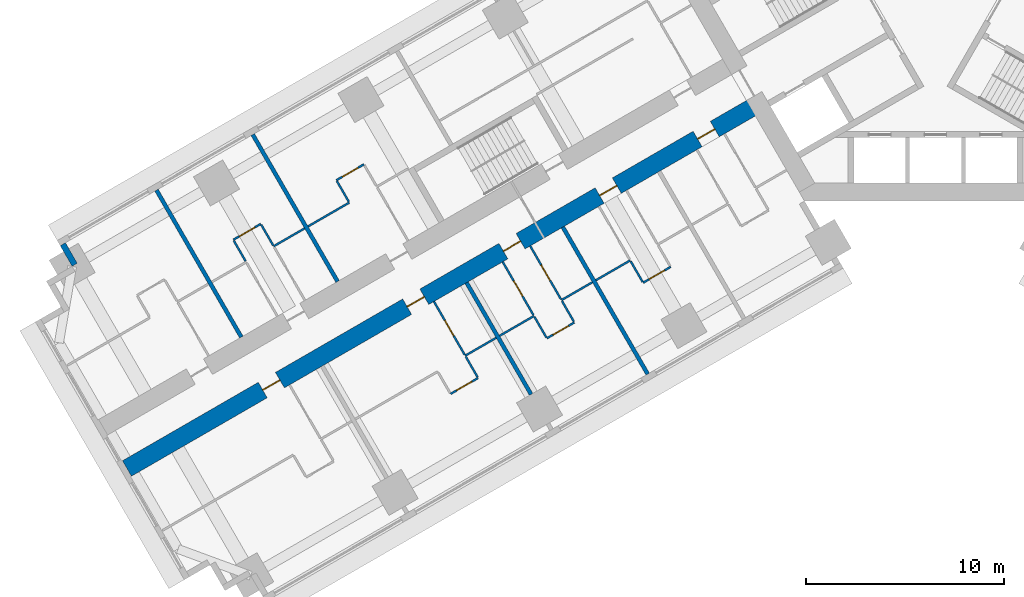
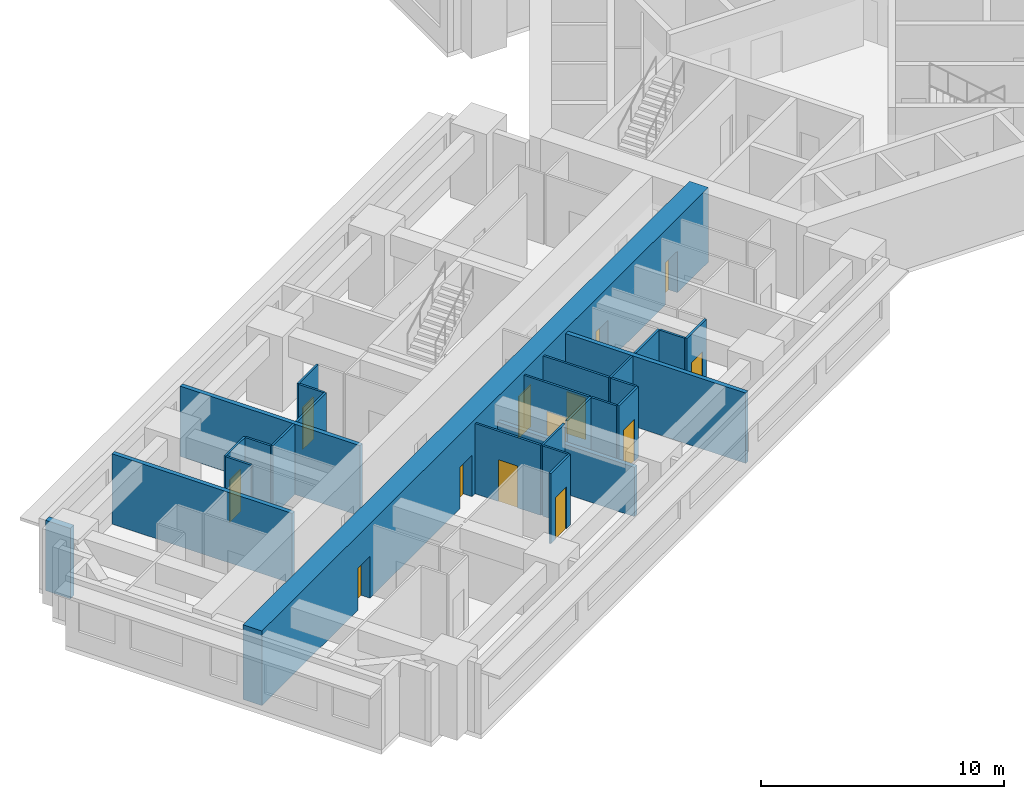
# One storey, part 4 of 17: 27 walls, 13 doors, 13 openings.
"""IFC4 building model written with IfcOpenShell, lengths in metres."""

import ifcopenshell
import ifcopenshell.guid

model = None  # the IFC model being written
_history = None  # IfcOwnerHistory: only IFC2X3 demands one
_inside = {}  # id of a spatial element -> (the spatial element, [elements in it])
_under = {}  # id of a project, library or spatial element -> (it, [spatial elements below it])
_declared = {}  # id of a project -> (the project, [libraries it declares])
_typed = {}  # id of a type object -> (the type object, [elements of that type])
_made_of = {}  # id of a material, layer set ... -> (it, [elements and type objects made of it])


def new_model(schema):
    """Start an empty IFC model of exactly this schema.

    Asked for "IFC4X3", IfcOpenShell would pick the latest addendum, in which some entities
    have other attributes; the version numbers below select the first issue.
    IFC2X3 requires an IfcOwnerHistory on every rooted entity: one is made here for all.
    """
    global model, _history
    if schema == "IFC4X3":
        model = ifcopenshell.file(schema_version=(4, 3, 0, 0))
    else:
        model = ifcopenshell.file(schema=schema)
    _inside.clear()
    _under.clear()
    _declared.clear()
    _typed.clear()
    _made_of.clear()
    _history = None
    if model.schema == "IFC2X3":
        org = make("IfcOrganization", Name="unknown")
        user = make(
            "IfcPersonAndOrganization",
            ThePerson=make("IfcPerson", FamilyName="unknown"),
            TheOrganization=org,
        )
        app = make(
            "IfcApplication",
            ApplicationDeveloper=org,
            Version="unknown",
            ApplicationFullName="unknown",
            ApplicationIdentifier="unknown",
        )
        _history = make(
            "IfcOwnerHistory",
            OwningUser=user,
            OwningApplication=app,
            ChangeAction="ADDED",
            CreationDate=0,
        )
    return model


def make(cls, **values):
    """One entity of the class cls with the attributes given. An attribute that is None is left unset."""
    return model.create_entity(
        cls, **{name: value for name, value in values.items() if value is not None}
    )


def rooted(cls, **values):
    """An entity with a GlobalId (a new one), such as an element, a storey or a relation."""
    return make(cls, GlobalId=ifcopenshell.guid.new(), OwnerHistory=_history, **values)


def si_unit(unit_type, name, prefix=None):
    """IfcSIUnit, for example si_unit("LENGTHUNIT", "METRE", prefix="MILLI")."""
    return make("IfcSIUnit", UnitType=unit_type, Prefix=prefix, Name=name)


def assignment(units):
    """IfcUnitAssignment: the units of a project."""
    return None if units is None else make("IfcUnitAssignment", Units=units)


def point(xyz):
    """IfcCartesianPoint."""
    return None if xyz is None else make("IfcCartesianPoint", Coordinates=xyz)


def direction(xyz):
    """IfcDirection."""
    return None if xyz is None else make("IfcDirection", DirectionRatios=xyz)


def frame(location, z_axis=None, x_axis=None):
    """IfcAxis2Placement3D, a coordinate frame: its origin and axes. An axis left out is left unset."""
    return make(
        "IfcAxis2Placement3D",
        Location=point(location),
        Axis=direction(z_axis),
        RefDirection=direction(x_axis),
    )


def frame_2d(location, x_axis=None):
    """IfcAxis2Placement2D, a coordinate frame in the plane: its origin and x axis."""
    return make(
        "IfcAxis2Placement2D", Location=point(location), RefDirection=direction(x_axis)
    )


def origin():
    """The frame at (0, 0, 0) with its axes left unset."""
    return frame((0.0, 0.0, 0.0))


def place(relative_to, where):
    """IfcLocalPlacement: puts the frame where relative to a parent placement (None: the world)."""
    return make(
        "IfcLocalPlacement", PlacementRelTo=relative_to, RelativePlacement=where
    )


def context(
    kind, dimensions, precision=None, world=None, true_north=None, identifier=None
):
    """IfcGeometricRepresentationContext, for example the 3D "Model" context."""
    return make(
        "IfcGeometricRepresentationContext",
        ContextIdentifier=identifier,
        ContextType=kind,
        CoordinateSpaceDimension=dimensions,
        Precision=precision,
        WorldCoordinateSystem=world,
        TrueNorth=true_north,
    )


def subcontext(parent, identifier, kind, view, scale=None):
    """IfcGeometricRepresentationSubContext, for example "Body" below "Model"."""
    return make(
        "IfcGeometricRepresentationSubContext",
        ContextIdentifier=identifier,
        ContextType=kind,
        ParentContext=parent,
        TargetScale=scale,
        TargetView=view,
    )


def project(units=None, contexts=None):
    """IfcProject with its units and contexts."""
    return rooted(
        "IfcProject",
        Name="project",
        RepresentationContexts=contexts,
        UnitsInContext=assignment(units),
    )


def spatial(cls, under=None, at=None, **own):
    """A site, building, storey or space (cls), placed at a placement, below another one or the project."""
    s = rooted(cls, ObjectPlacement=at, **own)
    if under is not None:
        _under.setdefault(under.id(), (under, []))[1].append(s)
    return s


def profile(cls, at=None, kind="AREA", **sizes):
    """A parametric profile (cls). Its sizes go by their IFC names, for example OverallWidth=200.0."""
    return make(cls, ProfileType=kind, Position=at, **sizes)


def rectangle(**sizes):
    """IfcRectangleProfileDef."""
    return profile("IfcRectangleProfileDef", **sizes)


def extrude(swept, where, along, depth):
    """IfcExtrudedAreaSolid: the profile swept, set in the frame where, extruded along a direction by depth."""
    return make(
        "IfcExtrudedAreaSolid",
        SweptArea=swept,
        Position=where,
        ExtrudedDirection=direction(along),
        Depth=depth,
    )


def shape(context_of_items, identifier, shape_type, items):
    """IfcShapeRepresentation: the items that make up one representation, for example the "Body"."""
    return make(
        "IfcShapeRepresentation",
        ContextOfItems=context_of_items,
        RepresentationIdentifier=identifier,
        RepresentationType=shape_type,
        Items=items,
    )


def material(Name=None, Category=None):
    """IfcMaterial."""
    return make("IfcMaterial", Name=Name, Category=Category)


def layer(
    of_material, thickness, ventilated=None, Name=None, Category=None, Priority=None
):
    """IfcMaterialLayer: one layer of a wall or slab, of a material (None: an air gap)."""
    return make(
        "IfcMaterialLayer",
        Material=of_material,
        LayerThickness=thickness,
        IsVentilated=ventilated,
        Name=Name,
        Category=Category,
        Priority=Priority,
    )


def layer_set(layers, Name=None):
    """IfcMaterialLayerSet."""
    return make("IfcMaterialLayerSet", MaterialLayers=layers, LayerSetName=Name)


def made_of(thing, what):
    """Note that an element or type object is made of a material, layer set ...; save() writes the relation."""
    if what is not None:
        _made_of.setdefault(what.id(), (what, []))[1].append(thing)
    return thing


def type_object(cls, material=None, **own):
    """A type object (cls), such as IfcWallType, which elements share."""
    return made_of(rooted(cls, **own), material)


def element(
    cls,
    number,
    at=None,
    inside=None,
    cuts=None,
    type_object=None,
    material=None,
    context=None,
    identifier="Body",
    shape_type=None,
    held_by="IfcProductDefinitionShape",
    body=None,
    shapes=None,
    **own,
):
    """One element of the class cls, such as IfcWall. Its Tag is "e" and its number.

    at: its placement. inside: the storey or other place that contains it. cuts: it is an
    opening in that element (IfcRelVoidsElement). A single representation is given by context,
    identifier, shape_type and body (its items); several are given by shapes. held_by: the class
    of the entity that holds the representations. save() writes the other relations.
    """
    e = rooted(cls, Tag="e%d" % number, ObjectPlacement=at, **own)
    if body is not None:
        shapes = [shape(context, identifier, shape_type, body)]
    if shapes is not None:
        e.Representation = make(held_by, Representations=shapes)
    if inside is not None:
        _inside.setdefault(inside.id(), (inside, []))[1].append(e)
    if cuts is not None:
        rooted(
            "IfcRelVoidsElement", RelatingBuildingElement=cuts, RelatedOpeningElement=e
        )
    if type_object is not None:
        _typed.setdefault(type_object.id(), (type_object, []))[1].append(e)
    return made_of(e, material)


def fill(opening, filler):
    """IfcRelFillsElement: the door or window that sits in an opening."""
    return rooted(
        "IfcRelFillsElement",
        RelatingOpeningElement=opening,
        RelatedBuildingElement=filler,
    )


def aggregate(whole, parts):
    """IfcRelAggregates: a whole, such as a stair, and the parts it consists of."""
    return rooted("IfcRelAggregates", RelatingObject=whole, RelatedObjects=parts)


def save(model, path):
    """Write the relations noted so far, then the file.

    IfcRelAggregates (storeys below a building ...), IfcRelContainedInSpatialStructure (elements
    in a storey), IfcRelDefinesByType, IfcRelAssociatesMaterial and IfcRelDeclares: one each for
    every whole, place, type object, material and project.
    """
    for whole, parts in _under.values():
        aggregate(whole, parts)
    for where, things in _inside.values():
        rooted(
            "IfcRelContainedInSpatialStructure",
            RelatedElements=things,
            RelatingStructure=where,
        )
    for kind, things in _typed.values():
        rooted("IfcRelDefinesByType", RelatedObjects=things, RelatingType=kind)
    for what, things in _made_of.values():
        rooted("IfcRelAssociatesMaterial", RelatedObjects=things, RelatingMaterial=what)
    for by, libraries in _declared.values():
        rooted("IfcRelDeclares", RelatingContext=by, RelatedDefinitions=libraries)
    model.write(path)


model = new_model("IFC4")

# Units and contexts
model_context = context("Model", 3, precision=1e-05, world=origin(), true_north=direction((0.0, 1.0)))
body_context = subcontext(model_context, "Body", "Model", "MODEL_VIEW")
ifc_project = project(units=[si_unit("LENGTHUNIT", "METRE"), si_unit("AREAUNIT", "SQUARE_METRE"), si_unit("VOLUMEUNIT", "CUBIC_METRE"), si_unit("PLANEANGLEUNIT", "RADIAN"), si_unit("MASSUNIT", "GRAM", prefix="KILO")], contexts=[model_context])

# Site, building, storey
site_placement = place(None, origin())
site = spatial("IfcSite", under=ifc_project, at=site_placement, CompositionType="ELEMENT")
building_placement = place(site_placement, origin())
building = spatial("IfcBuilding", under=site, at=building_placement, Name="Impinga Residences", CompositionType="ELEMENT")
storey_placement = place(building_placement, frame((0.0, 0.0, 33.5)))
storey = spatial("IfcBuildingStorey", under=building, at=storey_placement, Name="L07", CompositionType="ELEMENT", Elevation=33.5)

# Wall, openings, doors
ifc_material_1 = material(Name="Concrete C70/85", Category="concrete")
ifc_layer_1 = layer(ifc_material_1, 0.89990234375)
ifc_layer_set_1 = layer_set([ifc_layer_1], Name="Concrete C70/85")
wall_type_1 = type_object("IfcWallType", Name="BW1 corridor buttress wall, L05 to L22 900", PredefinedType="SHEAR", material=ifc_layer_set_1)
wall_1_placement = place(storey_placement, frame((-8.910400390625, -6.530029296875, 0.0), z_axis=(0.0, 0.0, 1.0), x_axis=(-0.866025284237, -0.500000207062, 0.0)))
wall_1 = element("IfcWall", 1, at=wall_1_placement, inside=storey, type_object=wall_type_1, Name="Corridor wall BW1 WC L07", PredefinedType="SHEAR", context=body_context, shape_type="SweptSolid", body=[
    extrude(rectangle(XDim=36.75, YDim=0.89990234375, at=frame_2d((18.375, 0.0))), origin(), (0.0, 0.0, 1.0), 3.75),
])
opening_1_placement = place(wall_1_placement, frame((2.550048828125, 0.0, 0.0)))
opening_1 = element("IfcOpeningElement", 2, at=opening_1_placement, cuts=wall_1, Name="Opening D1", PredefinedType="OPENING", context=body_context, shape_type="SweptSolid", body=[
    extrude(rectangle(XDim=1.0, YDim=2.10009765625, at=frame_2d((0.5, 1.050048828125))), frame((0.0, 0.4599609375, 0.0), z_axis=(0.0, -1.0, 0.0), x_axis=(1.0, 0.0, 0.0)), (0.0, 0.0, 1.0), 0.919921875),
])
opening_2_placement = place(wall_1_placement, frame((8.25, 0.0, 0.0)))
opening_2 = element("IfcOpeningElement", 3, at=opening_2_placement, cuts=wall_1, Name="Opening D1", PredefinedType="OPENING", context=body_context, shape_type="SweptSolid", body=[
    extrude(rectangle(XDim=1.0, YDim=2.10009765625, at=frame_2d((0.5, 1.050048828125))), frame((0.0, 0.4599609375, 0.0), z_axis=(0.0, -1.0, 0.0), x_axis=(1.0, 0.0, 0.0)), (0.0, 0.0, 1.0), 0.919921875),
])
opening_3_placement = place(wall_1_placement, frame((13.85009765625, 0.0, 0.0)))
opening_3 = element("IfcOpeningElement", 4, at=opening_3_placement, cuts=wall_1, Name="Opening D1", PredefinedType="OPENING", context=body_context, shape_type="SweptSolid", body=[
    extrude(rectangle(XDim=1.0, YDim=2.10009765625, at=frame_2d((0.5, 1.050048828125))), frame((0.0, 0.4599609375, 0.0), z_axis=(0.0, -1.0, 0.0), x_axis=(1.0, 0.0, 0.0)), (0.0, 0.0, 1.0), 0.919921875),
])
opening_4_placement = place(wall_1_placement, frame((19.449951171875, 0.0, 0.0)))
opening_4 = element("IfcOpeningElement", 5, at=opening_4_placement, cuts=wall_1, Name="Opening D1", PredefinedType="OPENING", context=body_context, shape_type="SweptSolid", body=[
    extrude(rectangle(XDim=1.0, YDim=2.10009765625, at=frame_2d((0.5, 1.050048828125))), frame((0.0, 0.4599609375, 0.0), z_axis=(0.0, -1.0, 0.0), x_axis=(1.0, 0.0, 0.0)), (0.0, 0.0, 1.0), 0.919921875),
])
opening_5_placement = place(wall_1_placement, frame((27.85009765625, 0.0, 0.0)))
opening_5 = element("IfcOpeningElement", 6, at=opening_5_placement, cuts=wall_1, Name="Opening D1", PredefinedType="OPENING", context=body_context, shape_type="SweptSolid", body=[
    extrude(rectangle(XDim=1.0, YDim=2.10009765625, at=frame_2d((0.5, 1.050048828125))), frame((0.0, 0.4599609375, 0.0), z_axis=(0.0, -1.0, 0.0), x_axis=(1.0, 0.0, 0.0)), (0.0, 0.0, 1.0), 0.919921875),
])
ifc_material_2 = material(Name="Timber door set", Category="wood")
door_type_1 = type_object("IfcDoorType", Name="D1 apartment entrance door 1000x2100", OperationType="SINGLE_SWING_LEFT", PredefinedType="DOOR", material=ifc_material_2)
door_1_placement = place(opening_1_placement, origin())
door_1 = element("IfcDoor", 7, at=door_1_placement, inside=storey, type_object=door_type_1, Name="Apartment L07-WA1 entrance", OperationType="SINGLE_SWING_LEFT", OverallHeight=2.10009765625, OverallWidth=1.0, PredefinedType="DOOR", context=body_context, shape_type="SweptSolid", body=[
    extrude(rectangle(XDim=1.0, YDim=2.10009765625, at=frame_2d((0.5, 1.050048828125))), frame((0.0, 0.02490234375, 0.0), z_axis=(0.0, -1.0, 0.0), x_axis=(1.0, 0.0, 0.0)), (0.0, 0.0, 1.0), 0.050048828125),
])
fill(opening_1, door_1)
door_2_placement = place(opening_2_placement, origin())
door_2 = element("IfcDoor", 8, at=door_2_placement, inside=storey, type_object=door_type_1, Name="Apartment L07-WA2 entrance", OperationType="SINGLE_SWING_LEFT", OverallHeight=2.10009765625, OverallWidth=1.0, PredefinedType="DOOR", context=body_context, shape_type="SweptSolid", body=[
    extrude(rectangle(XDim=1.0, YDim=2.10009765625, at=frame_2d((0.5, 1.050048828125))), frame((0.0, 0.02490234375, 0.0), z_axis=(0.0, -1.0, 0.0), x_axis=(1.0, 0.0, 0.0)), (0.0, 0.0, 1.0), 0.050048828125),
])
fill(opening_2, door_2)
door_3_placement = place(opening_3_placement, origin())
door_3 = element("IfcDoor", 9, at=door_3_placement, inside=storey, type_object=door_type_1, Name="Apartment L07-WA3 entrance", OperationType="SINGLE_SWING_LEFT", OverallHeight=2.10009765625, OverallWidth=1.0, PredefinedType="DOOR", context=body_context, shape_type="SweptSolid", body=[
    extrude(rectangle(XDim=1.0, YDim=2.10009765625, at=frame_2d((0.5, 1.050048828125))), frame((0.0, 0.02490234375, 0.0), z_axis=(0.0, -1.0, 0.0), x_axis=(1.0, 0.0, 0.0)), (0.0, 0.0, 1.0), 0.050048828125),
])
fill(opening_3, door_3)
door_4_placement = place(opening_4_placement, origin())
door_4 = element("IfcDoor", 10, at=door_4_placement, inside=storey, type_object=door_type_1, Name="Apartment L07-WA4 entrance", OperationType="SINGLE_SWING_RIGHT", OverallHeight=2.10009765625, OverallWidth=1.0, PredefinedType="DOOR", context=body_context, shape_type="SweptSolid", body=[
    extrude(rectangle(XDim=1.0, YDim=2.10009765625, at=frame_2d((0.5, 1.050048828125))), frame((0.0, 0.02490234375, 0.0), z_axis=(0.0, -1.0, 0.0), x_axis=(1.0, 0.0, 0.0)), (0.0, 0.0, 1.0), 0.050048828125),
])
fill(opening_4, door_4)
door_5_placement = place(opening_5_placement, origin())
door_5 = element("IfcDoor", 11, at=door_5_placement, inside=storey, type_object=door_type_1, Name="Apartment L07-WA5 entrance", OperationType="SINGLE_SWING_RIGHT", OverallHeight=2.10009765625, OverallWidth=1.0, PredefinedType="DOOR", context=body_context, shape_type="SweptSolid", body=[
    extrude(rectangle(XDim=1.0, YDim=2.10009765625, at=frame_2d((0.5, 1.050048828125))), frame((0.0, 0.02490234375, 0.0), z_axis=(0.0, -1.0, 0.0), x_axis=(1.0, 0.0, 0.0)), (0.0, 0.0, 1.0), 0.050048828125),
])
fill(opening_5, door_5)

# Walls
ifc_material_3 = material(Name="Terracotta rainscreen on blockwork", Category="masonry")
ifc_layer_2 = layer(ifc_material_3, 0.300048828125)
ifc_layer_set_2 = layer_set([ifc_layer_2], Name="EW1 external wall, terracotta rainscreen on blockwork 300")
wall_type_2 = type_object("IfcWallType", Name="EW1 external wall, terracotta rainscreen on blockwork 300", PredefinedType="SOLIDWALL", material=ifc_layer_set_2)
wall_2_placement = place(storey_placement, frame((-43.37109375, -14.64208984375, 0.0), z_axis=(0.0, 0.0, 1.0), x_axis=(-0.500029051137, 0.866008630453, 0.0)))
element("IfcWall", 12, at=wall_2_placement, inside=storey, type_object=wall_type_2, Name="External wall EW1 L07", PredefinedType="SOLIDWALL", context=body_context, shape_type="SweptSolid", body=[
    extrude(rectangle(XDim=1.19482421875, YDim=0.300048828125, at=frame_2d((0.597412109375, 0.0))), origin(), (0.0, 0.0, 1.0), 3.530029296875),
])
ifc_material_4 = material(Name="Gypsum board on steel studs", Category="steel")
ifc_layer_3 = layer(ifc_material_4, 0.10009765625)
ifc_layer_set_3 = layer_set([ifc_layer_3], Name="Gypsum board on steel studs")
wall_type_3 = type_object("IfcWallType", Name="IP1 partition 100", PredefinedType="PARTITIONING", material=ifc_layer_set_3)
wall_3_placement = place(storey_placement, frame((-15.380859375, -14.422607421875, 0.0), z_axis=(0.0, 0.0, 1.0), x_axis=(-0.866010750942, -0.50002537861, 0.0)))
element("IfcWall", 13, at=wall_3_placement, inside=storey, type_object=wall_type_3, Name="Partition L07-WA2:DIV1", PredefinedType="PARTITIONING", context=body_context, shape_type="SweptSolid", body=[
    extrude(rectangle(XDim=2.0, YDim=0.10009765625, at=frame_2d((1.0, 0.0))), origin(), (0.0, 0.0, 1.0), 3.530029296875),
])

# Wall, opening, door
wall_4_placement = place(storey_placement, frame((-13.34521484375, -14.74853515625, 0.0), z_axis=(0.0, 0.0, 1.0), x_axis=(-0.865989903783, -0.500061482766, 0.0)))
wall_4 = element("IfcWall", 14, at=wall_4_placement, inside=storey, type_object=wall_type_3, Name="Partition L07-WA2:STRIP", PredefinedType="PARTITIONING", context=body_context, shape_type="SweptSolid", body=[
    extrude(rectangle(XDim=1.599853515625, YDim=0.10009765625, at=frame_2d((0.7998046875, 0.0))), origin(), (0.0, 0.0, 1.0), 3.530029296875),
])
opening_6_placement = place(wall_4_placement, frame((0.35009765625, 0.0, 0.0)))
opening_6 = element("IfcOpeningElement", 15, at=opening_6_placement, cuts=wall_4, Name="Opening D2", PredefinedType="OPENING", context=body_context, shape_type="SweptSolid", body=[
    extrude(rectangle(XDim=0.89990234375, YDim=2.10009765625, at=frame_2d((0.449951171875, 1.050048828125))), frame((0.0, 0.06005859375, 0.0), z_axis=(0.0, -1.0, 0.0), x_axis=(1.0, 0.0, 0.0)), (0.0, 0.0, 1.0), 0.1201171875),
])
door_type_2 = type_object("IfcDoorType", Name="D2 internal door 900x2100", OperationType="SINGLE_SWING_LEFT", PredefinedType="DOOR", material=ifc_material_2)
door_6_placement = place(opening_6_placement, origin())
door_6 = element("IfcDoor", 16, at=door_6_placement, inside=storey, type_object=door_type_2, Name="Apartment L07-WA2 room door", OperationType="SINGLE_SWING_LEFT", OverallHeight=2.10009765625, OverallWidth=0.89990234375, PredefinedType="DOOR", context=body_context, shape_type="SweptSolid", body=[
    extrude(rectangle(XDim=0.89990234375, YDim=2.10009765625, at=frame_2d((0.449951171875, 1.050048828125))), frame((0.0, 0.02490234375, 0.0), z_axis=(0.0, -1.0, 0.0), x_axis=(1.0, 0.0, 0.0)), (0.0, 0.0, 1.0), 0.050048828125),
])
fill(opening_6, door_6)

# Walls
wall_5_placement = place(storey_placement, frame((-15.355712890625, -14.466064453125, 0.0), z_axis=(0.0, 0.0, 1.0), x_axis=(0.499969057507, -0.866043267704, 0.0)))
element("IfcWall", 17, at=wall_5_placement, inside=storey, type_object=wall_type_3, Name="Partition L07-WA2:SE1", PredefinedType="PARTITIONING", context=body_context, shape_type="SweptSolid", body=[
    extrude(rectangle(XDim=1.19970703125, YDim=0.10009765625, at=frame_2d((0.599853515625, 0.0))), origin(), (0.0, 0.0, 1.0), 3.530029296875),
])
wall_6_placement = place(storey_placement, frame((-17.2861328125, -15.522705078125, 0.0), z_axis=(0.0, 0.0, 1.0), x_axis=(-0.866047807691, -0.499961193289, 0.0)))
element("IfcWall", 18, at=wall_6_placement, inside=storey, type_object=wall_type_3, Name="Partition L07-WA3:DIV0", PredefinedType="PARTITIONING", context=body_context, shape_type="SweptSolid", body=[
    extrude(rectangle(XDim=1.800048828125, YDim=0.10009765625, at=frame_2d((0.89990234375, 0.0))), origin(), (0.0, 0.0, 1.0), 3.530029296875),
])
wall_7_placement = place(storey_placement, frame((-20.23046875, -17.22265625, 0.0), z_axis=(0.0, 0.0, 1.0), x_axis=(-0.866041268327, -0.499972520799, 0.0)))
element("IfcWall", 19, at=wall_7_placement, inside=storey, type_object=wall_type_3, Name="Partition L07-WA3:DIV1", PredefinedType="PARTITIONING", context=body_context, shape_type="SweptSolid", body=[
    extrude(rectangle(XDim=2.0, YDim=0.10009765625, at=frame_2d((1.0, 0.0))), origin(), (0.0, 0.0, 1.0), 3.530029296875),
])

# Wall, opening, door
wall_8_placement = place(storey_placement, frame((-18.19482421875, -17.548583984375, 0.0), z_axis=(0.0, 0.0, 1.0), x_axis=(-0.866028054938, -0.499995408039, 0.0)))
wall_8 = element("IfcWall", 20, at=wall_8_placement, inside=storey, type_object=wall_type_3, Name="Partition L07-WA3:STRIP", PredefinedType="PARTITIONING", context=body_context, shape_type="SweptSolid", body=[
    extrude(rectangle(XDim=1.60009765625, YDim=0.10009765625, at=frame_2d((0.800048828125, 0.0))), origin(), (0.0, 0.0, 1.0), 3.530029296875),
])
opening_7_placement = place(wall_8_placement, frame((0.35009765625, 0.0, 0.0)))
opening_7 = element("IfcOpeningElement", 21, at=opening_7_placement, cuts=wall_8, Name="Opening D2", PredefinedType="OPENING", context=body_context, shape_type="SweptSolid", body=[
    extrude(rectangle(XDim=0.89990234375, YDim=2.10009765625, at=frame_2d((0.449951171875, 1.050048828125))), frame((0.0, 0.06005859375, 0.0), z_axis=(0.0, -1.0, 0.0), x_axis=(1.0, 0.0, 0.0)), (0.0, 0.0, 1.0), 0.1201171875),
])
door_7_placement = place(opening_7_placement, origin())
door_7 = element("IfcDoor", 22, at=door_7_placement, inside=storey, type_object=door_type_2, Name="Apartment L07-WA3 room door", OperationType="SINGLE_SWING_LEFT", OverallHeight=2.10009765625, OverallWidth=0.89990234375, PredefinedType="DOOR", context=body_context, shape_type="SweptSolid", body=[
    extrude(rectangle(XDim=0.89990234375, YDim=2.10009765625, at=frame_2d((0.449951171875, 1.050048828125))), frame((0.0, 0.02490234375, 0.0), z_axis=(0.0, -1.0, 0.0), x_axis=(1.0, 0.0, 0.0)), (0.0, 0.0, 1.0), 0.050048828125),
])
fill(opening_7, door_7)

# Walls
wall_9_placement = place(storey_placement, frame((-18.81982421875, -16.466064453125, 0.0), z_axis=(0.0, 0.0, 1.0), x_axis=(0.499969057507, -0.866043267704, 0.0)))
element("IfcWall", 23, at=wall_9_placement, inside=storey, type_object=wall_type_3, Name="Partition L07-WA3:SE0", PredefinedType="PARTITIONING", context=body_context, shape_type="SweptSolid", body=[
    extrude(rectangle(XDim=1.19970703125, YDim=0.10009765625, at=frame_2d((0.599853515625, 0.0))), origin(), (0.0, 0.0, 1.0), 3.530029296875),
])
wall_10_placement = place(storey_placement, frame((-20.20556640625, -17.265869140625, 0.0), z_axis=(0.0, 0.0, 1.0), x_axis=(0.500033551112, -0.866006032174, 0.0)))
element("IfcWall", 24, at=wall_10_placement, inside=storey, type_object=wall_type_3, Name="Partition L07-WA3:SE1", PredefinedType="PARTITIONING", context=body_context, shape_type="SweptSolid", body=[
    extrude(rectangle(XDim=1.2001953125, YDim=0.10009765625, at=frame_2d((0.60009765625, 0.0))), origin(), (0.0, 0.0, 1.0), 3.530029296875),
])

# Wall, opening, door
wall_11_placement = place(storey_placement, frame((-20.419921875, -13.69482421875, 0.0), z_axis=(0.0, 0.0, 1.0), x_axis=(0.500026960575, -0.86600983753, 0.0)))
wall_11 = element("IfcWall", 25, at=wall_11_placement, inside=storey, type_object=wall_type_3, Name="Partition L07-WA3:IB1", PredefinedType="PARTITIONING", context=body_context, shape_type="SweptSolid", body=[
    extrude(rectangle(XDim=3.099853515625, YDim=0.10009765625, at=frame_2d((1.5498046875, 0.0))), origin(), (0.0, 0.0, 1.0), 3.530029296875),
])
opening_8_placement = place(wall_11_placement, frame((1.10009765625, 0.0, 0.0)))
opening_8 = element("IfcOpeningElement", 26, at=opening_8_placement, cuts=wall_11, Name="Opening D2", PredefinedType="OPENING", context=body_context, shape_type="SweptSolid", body=[
    extrude(rectangle(XDim=0.89990234375, YDim=2.10009765625, at=frame_2d((0.449951171875, 1.050048828125))), frame((0.0, 0.06005859375, 0.0), z_axis=(0.0, -1.0, 0.0), x_axis=(1.0, 0.0, 0.0)), (0.0, 0.0, 1.0), 0.1201171875),
])
door_8_placement = place(opening_8_placement, origin())
door_8 = element("IfcDoor", 27, at=door_8_placement, inside=storey, type_object=door_type_2, Name="Apartment L07-WA3 bathroom door", OperationType="SINGLE_SWING_LEFT", OverallHeight=2.10009765625, OverallWidth=0.89990234375, PredefinedType="DOOR", context=body_context, shape_type="SweptSolid", body=[
    extrude(rectangle(XDim=0.89990234375, YDim=2.10009765625, at=frame_2d((0.449951171875, 1.050048828125))), frame((0.0, 0.02490234375, 0.0), z_axis=(0.0, -1.0, 0.0), x_axis=(1.0, 0.0, 0.0)), (0.0, 0.0, 1.0), 0.050048828125),
])
fill(opening_8, door_8)

wall_12_placement = place(storey_placement, frame((-21.8056640625, -14.49462890625, 0.0), z_axis=(0.0, 0.0, 1.0), x_axis=(0.49999285859, -0.86602952684, 0.0)))
wall_12 = element("IfcWall", 28, at=wall_12_placement, inside=storey, type_object=wall_type_3, Name="Partition L07-WA3:IB2", PredefinedType="PARTITIONING", context=body_context, shape_type="SweptSolid", body=[
    extrude(rectangle(XDim=3.10009765625, YDim=0.10009765625, at=frame_2d((1.550048828125, 0.0))), origin(), (0.0, 0.0, 1.0), 3.530029296875),
])
opening_9_placement = place(wall_12_placement, frame((1.10009765625, 0.0, 0.0)))
opening_9 = element("IfcOpeningElement", 29, at=opening_9_placement, cuts=wall_12, Name="Opening D2", PredefinedType="OPENING", context=body_context, shape_type="SweptSolid", body=[
    extrude(rectangle(XDim=0.89990234375, YDim=2.10009765625, at=frame_2d((0.449951171875, 1.050048828125))), frame((0.0, 0.06005859375, 0.0), z_axis=(0.0, -1.0, 0.0), x_axis=(1.0, 0.0, 0.0)), (0.0, 0.0, 1.0), 0.1201171875),
])
door_9_placement = place(opening_9_placement, origin())
door_9 = element("IfcDoor", 30, at=door_9_placement, inside=storey, type_object=door_type_2, Name="Apartment L07-WA3 WC door", OperationType="SINGLE_SWING_LEFT", OverallHeight=2.10009765625, OverallWidth=0.89990234375, PredefinedType="DOOR", context=body_context, shape_type="SweptSolid", body=[
    extrude(rectangle(XDim=0.89990234375, YDim=2.10009765625, at=frame_2d((0.449951171875, 1.050048828125))), frame((0.0, 0.02490234375, 0.0), z_axis=(0.0, -1.0, 0.0), x_axis=(1.0, 0.0, 0.0)), (0.0, 0.0, 1.0), 0.050048828125),
])
fill(opening_9, door_9)

# Wall
wall_13_placement = place(storey_placement, frame((-22.1357421875, -18.32275390625, 0.0), z_axis=(0.0, 0.0, 1.0), x_axis=(-0.866047807691, -0.499961193289, 0.0)))
element("IfcWall", 31, at=wall_13_placement, inside=storey, type_object=wall_type_3, Name="Partition L07-WA4:DIV0", PredefinedType="PARTITIONING", context=body_context, shape_type="SweptSolid", body=[
    extrude(rectangle(XDim=1.800048828125, YDim=0.10009765625, at=frame_2d((0.89990234375, 0.0))), origin(), (0.0, 0.0, 1.0), 3.530029296875),
])

# Wall, opening, door
wall_14_placement = place(storey_placement, frame((-23.044677734375, -20.3486328125, 0.0), z_axis=(0.0, 0.0, 1.0), x_axis=(-0.866094119867, -0.499880961361, 0.0)))
wall_14 = element("IfcWall", 32, at=wall_14_placement, inside=storey, type_object=wall_type_3, Name="Partition L07-WA4:STRIP", PredefinedType="PARTITIONING", context=body_context, shape_type="SweptSolid", body=[
    extrude(rectangle(XDim=1.60009765625, YDim=0.10009765625, at=frame_2d((0.800048828125, 0.0))), origin(), (0.0, 0.0, 1.0), 3.530029296875),
])
opening_10_placement = place(wall_14_placement, frame((0.35009765625, 0.0, 0.0)))
opening_10 = element("IfcOpeningElement", 33, at=opening_10_placement, cuts=wall_14, Name="Opening D2", PredefinedType="OPENING", context=body_context, shape_type="SweptSolid", body=[
    extrude(rectangle(XDim=0.89990234375, YDim=2.10009765625, at=frame_2d((0.449951171875, 1.050048828125))), frame((0.0, 0.06005859375, 0.0), z_axis=(0.0, -1.0, 0.0), x_axis=(1.0, 0.0, 0.0)), (0.0, 0.0, 1.0), 0.1201171875),
])
door_10_placement = place(opening_10_placement, origin())
door_10 = element("IfcDoor", 34, at=door_10_placement, inside=storey, type_object=door_type_2, Name="Apartment L07-WA4 room door", OperationType="SINGLE_SWING_LEFT", OverallHeight=2.10009765625, OverallWidth=0.89990234375, PredefinedType="DOOR", context=body_context, shape_type="SweptSolid", body=[
    extrude(rectangle(XDim=0.89990234375, YDim=2.10009765625, at=frame_2d((0.449951171875, 1.050048828125))), frame((0.0, 0.02490234375, 0.0), z_axis=(0.0, -1.0, 0.0), x_axis=(1.0, 0.0, 0.0)), (0.0, 0.0, 1.0), 0.050048828125),
])
fill(opening_10, door_10)

# Wall
wall_15_placement = place(storey_placement, frame((-23.669677734375, -19.265869140625, 0.0), z_axis=(0.0, 0.0, 1.0), x_axis=(0.500033551112, -0.866006032174, 0.0)))
element("IfcWall", 35, at=wall_15_placement, inside=storey, type_object=wall_type_3, Name="Partition L07-WA4:SE0", PredefinedType="PARTITIONING", context=body_context, shape_type="SweptSolid", body=[
    extrude(rectangle(XDim=1.2001953125, YDim=0.10009765625, at=frame_2d((0.60009765625, 0.0))), origin(), (0.0, 0.0, 1.0), 3.530029296875),
])

# Wall, opening, door
wall_16_placement = place(storey_placement, frame((-25.269775390625, -16.49462890625, 0.0), z_axis=(0.0, 0.0, 1.0), x_axis=(0.49999285859, -0.86602952684, 0.0)))
wall_16 = element("IfcWall", 36, at=wall_16_placement, inside=storey, type_object=wall_type_3, Name="Partition L07-WA4:IB1", PredefinedType="PARTITIONING", context=body_context, shape_type="SweptSolid", body=[
    extrude(rectangle(XDim=3.10009765625, YDim=0.10009765625, at=frame_2d((1.550048828125, 0.0))), origin(), (0.0, 0.0, 1.0), 3.530029296875),
])
opening_11_placement = place(wall_16_placement, frame((1.10009765625, 0.0, 0.0)))
opening_11 = element("IfcOpeningElement", 37, at=opening_11_placement, cuts=wall_16, Name="Opening D2", PredefinedType="OPENING", context=body_context, shape_type="SweptSolid", body=[
    extrude(rectangle(XDim=0.89990234375, YDim=2.10009765625, at=frame_2d((0.449951171875, 1.050048828125))), frame((0.0, 0.06005859375, 0.0), z_axis=(0.0, -1.0, 0.0), x_axis=(1.0, 0.0, 0.0)), (0.0, 0.0, 1.0), 0.1201171875),
])
door_11_placement = place(opening_11_placement, origin())
door_11 = element("IfcDoor", 38, at=door_11_placement, inside=storey, type_object=door_type_2, Name="Apartment L07-WA4 bathroom door", OperationType="SINGLE_SWING_LEFT", OverallHeight=2.10009765625, OverallWidth=0.89990234375, PredefinedType="DOOR", context=body_context, shape_type="SweptSolid", body=[
    extrude(rectangle(XDim=0.89990234375, YDim=2.10009765625, at=frame_2d((0.449951171875, 1.050048828125))), frame((0.0, 0.02490234375, 0.0), z_axis=(0.0, -1.0, 0.0), x_axis=(1.0, 0.0, 0.0)), (0.0, 0.0, 1.0), 0.050048828125),
])
fill(opening_11, door_11)

# Wall
wall_17_placement = place(storey_placement, frame((-29.533935546875, -11.5087890625, 0.0), z_axis=(0.0, 0.0, 1.0), x_axis=(-0.866024647952, -0.500001309137, 0.0)))
element("IfcWall", 39, at=wall_17_placement, inside=storey, type_object=wall_type_3, Name="Partition L07-WF2:DIV1", PredefinedType="PARTITIONING", context=body_context, shape_type="SweptSolid", body=[
    extrude(rectangle(XDim=2.39990234375, YDim=0.10009765625, at=frame_2d((1.199951171875, 0.0))), origin(), (0.0, 0.0, 1.0), 3.530029296875),
])

# Wall, opening, door
wall_18_placement = place(storey_placement, frame((-28.79833984375, -9.5830078125, 0.0), z_axis=(0.0, 0.0, 1.0), x_axis=(-0.865989903783, -0.500061482766, 0.0)))
wall_18 = element("IfcWall", 40, at=wall_18_placement, inside=storey, type_object=wall_type_3, Name="Partition L07-WF2:STRIP", PredefinedType="PARTITIONING", context=body_context, shape_type="SweptSolid", body=[
    extrude(rectangle(XDim=1.599853515625, YDim=0.10009765625, at=frame_2d((0.7998046875, 0.0))), origin(), (0.0, 0.0, 1.0), 3.530029296875),
])
opening_12_placement = place(wall_18_placement, frame((0.35009765625, 0.0, 0.0)))
opening_12 = element("IfcOpeningElement", 41, at=opening_12_placement, cuts=wall_18, Name="Opening D2", PredefinedType="OPENING", context=body_context, shape_type="SweptSolid", body=[
    extrude(rectangle(XDim=0.89990234375, YDim=2.10009765625, at=frame_2d((0.449951171875, 1.050048828125))), frame((0.0, 0.06005859375, 0.0), z_axis=(0.0, -1.0, 0.0), x_axis=(1.0, 0.0, 0.0)), (0.0, 0.0, 1.0), 0.1201171875),
])
door_12_placement = place(opening_12_placement, origin())
door_12 = element("IfcDoor", 42, at=door_12_placement, inside=storey, type_object=door_type_2, Name="Apartment L07-WF2 room door", OperationType="SINGLE_SWING_LEFT", OverallHeight=2.10009765625, OverallWidth=0.89990234375, PredefinedType="DOOR", context=body_context, shape_type="SweptSolid", body=[
    extrude(rectangle(XDim=0.89990234375, YDim=2.10009765625, at=frame_2d((0.449951171875, 1.050048828125))), frame((0.0, 0.02490234375, 0.0), z_axis=(0.0, -1.0, 0.0), x_axis=(1.0, 0.0, 0.0)), (0.0, 0.0, 1.0), 0.050048828125),
])
fill(opening_12, door_12)

# Walls
wall_19_placement = place(storey_placement, frame((-29.558837890625, -11.465576171875, 0.0), z_axis=(0.0, 0.0, 1.0), x_axis=(-0.500033551112, 0.866006032174, 0.0)))
element("IfcWall", 43, at=wall_19_placement, inside=storey, type_object=wall_type_3, Name="Partition L07-WF2:SE1", PredefinedType="PARTITIONING", context=body_context, shape_type="SweptSolid", body=[
    extrude(rectangle(XDim=1.2001953125, YDim=0.10009765625, at=frame_2d((0.60009765625, 0.0))), origin(), (0.0, 0.0, 1.0), 3.530029296875),
])
wall_20_placement = place(storey_placement, frame((-31.78564453125, -12.808837890625, 0.0), z_axis=(0.0, 0.0, 1.0), x_axis=(-0.866047807691, -0.499961193289, 0.0)))
element("IfcWall", 44, at=wall_20_placement, inside=storey, type_object=wall_type_3, Name="Partition L07-WF3:DIV0", PredefinedType="PARTITIONING", context=body_context, shape_type="SweptSolid", body=[
    extrude(rectangle(XDim=1.800048828125, YDim=0.10009765625, at=frame_2d((0.89990234375, 0.0))), origin(), (0.0, 0.0, 1.0), 3.530029296875),
])

# Wall, opening, door
wall_21_placement = place(storey_placement, frame((-33.994384765625, -12.5830078125, 0.0), z_axis=(0.0, 0.0, 1.0), x_axis=(-0.866028054938, -0.499995408039, 0.0)))
wall_21 = element("IfcWall", 45, at=wall_21_placement, inside=storey, type_object=wall_type_3, Name="Partition L07-WF3:STRIP", PredefinedType="PARTITIONING", context=body_context, shape_type="SweptSolid", body=[
    extrude(rectangle(XDim=1.60009765625, YDim=0.10009765625, at=frame_2d((0.800048828125, 0.0))), origin(), (0.0, 0.0, 1.0), 3.530029296875),
])
opening_13_placement = place(wall_21_placement, frame((0.35009765625, 0.0, 0.0)))
opening_13 = element("IfcOpeningElement", 46, at=opening_13_placement, cuts=wall_21, Name="Opening D2", PredefinedType="OPENING", context=body_context, shape_type="SweptSolid", body=[
    extrude(rectangle(XDim=0.89990234375, YDim=2.10009765625, at=frame_2d((0.449951171875, 1.050048828125))), frame((0.0, 0.06005859375, 0.0), z_axis=(0.0, -1.0, 0.0), x_axis=(1.0, 0.0, 0.0)), (0.0, 0.0, 1.0), 0.1201171875),
])
door_13_placement = place(opening_13_placement, origin())
door_13 = element("IfcDoor", 47, at=door_13_placement, inside=storey, type_object=door_type_2, Name="Apartment L07-WF3 room door", OperationType="SINGLE_SWING_LEFT", OverallHeight=2.10009765625, OverallWidth=0.89990234375, PredefinedType="DOOR", context=body_context, shape_type="SweptSolid", body=[
    extrude(rectangle(XDim=0.89990234375, YDim=2.10009765625, at=frame_2d((0.449951171875, 1.050048828125))), frame((0.0, 0.02490234375, 0.0), z_axis=(0.0, -1.0, 0.0), x_axis=(1.0, 0.0, 0.0)), (0.0, 0.0, 1.0), 0.050048828125),
])
fill(opening_13, door_13)

# Walls
wall_22_placement = place(storey_placement, frame((-33.369384765625, -13.66552734375, 0.0), z_axis=(0.0, 0.0, 1.0), x_axis=(-0.500033551112, 0.866006032174, 0.0)))
element("IfcWall", 48, at=wall_22_placement, inside=storey, type_object=wall_type_3, Name="Partition L07-WF3:SE0", PredefinedType="PARTITIONING", context=body_context, shape_type="SweptSolid", body=[
    extrude(rectangle(XDim=1.2001953125, YDim=0.10009765625, at=frame_2d((0.60009765625, 0.0))), origin(), (0.0, 0.0, 1.0), 3.530029296875),
])
wall_23_placement = place(storey_placement, frame((-34.755126953125, -14.465576171875, 0.0), z_axis=(0.0, 0.0, 1.0), x_axis=(-0.499880961361, 0.866094119867, 0.0)))
element("IfcWall", 49, at=wall_23_placement, inside=storey, type_object=wall_type_3, Name="Partition L07-WF3:SE1", PredefinedType="PARTITIONING", context=body_context, shape_type="SweptSolid", body=[
    extrude(rectangle(XDim=1.199951171875, YDim=0.10009765625, at=frame_2d((0.60009765625, 0.0))), origin(), (0.0, 0.0, 1.0), 3.530029296875),
])
ifc_material_5 = material(Name="Concrete blockwork", Category="masonry")
ifc_layer_4 = layer(ifc_material_5, 0.199951171875)
ifc_layer_set_4 = layer_set([ifc_layer_4], Name="PW1 party wall between apartments 200")
wall_type_4 = type_object("IfcWallType", Name="PW1 party wall between apartments 200", PredefinedType="SOLIDWALL", material=ifc_layer_set_4)
wall_24_placement = place(storey_placement, frame((-18.7744140625, -12.74462890625, 0.0), z_axis=(0.0, 0.0, 1.0), x_axis=(0.499990227581, -0.86603104582, 0.0)))
element("IfcWall", 50, at=wall_24_placement, inside=storey, type_object=wall_type_4, Name="Party wall between apartments L07-WA2:PARTY", PredefinedType="SOLIDWALL", context=body_context, shape_type="SweptSolid", body=[
    extrude(rectangle(XDim=8.550048828125, YDim=0.199951171875, at=frame_2d((4.27490234375, 0.0))), origin(), (0.0, 0.0, 1.0), 3.530029296875),
])
wall_25_placement = place(storey_placement, frame((-23.624267578125, -15.544677734375, 0.0), z_axis=(0.0, 0.0, 1.0), x_axis=(0.50000098154, -0.866024837091, 0.0)))
element("IfcWall", 51, at=wall_25_placement, inside=storey, type_object=wall_type_4, Name="Party wall between apartments L07-WA3:PARTY", PredefinedType="SOLIDWALL", context=body_context, shape_type="SweptSolid", body=[
    extrude(rectangle(XDim=6.5, YDim=0.199951171875, at=frame_2d((3.25, 0.0))), origin(), (0.0, 0.0, 1.0), 2.47998046875),
])
for number, where, z_axis, x_axis, name in (
    (52, (-30.1240234375, -15.48681640625, 0.0), (0.0, 0.0, 1.0), (-0.499990227581, 0.86603104582, 0.0), "Party wall between apartments L07-WF2:PARTY"),
    (53, (-34.9736328125, -18.286865234375, 0.0), (0.0, 0.0, 1.0), (-0.500011643316, 0.866018681408, 0.0), "Party wall between apartments L07-WF3:PARTY"),
):
    element("IfcWall", number, at=place(storey_placement, frame(where, z_axis=z_axis, x_axis=x_axis)), inside=storey, type_object=wall_type_4, Name=name, PredefinedType="SOLIDWALL", context=body_context, shape_type="SweptSolid", body=[
        extrude(rectangle(XDim=8.550048828125, YDim=0.199951171875, at=frame_2d((4.27490234375, 0.0))), origin(), (0.0, 0.0, 1.0), 3.530029296875),
    ])

save(model, "model.ifc")
